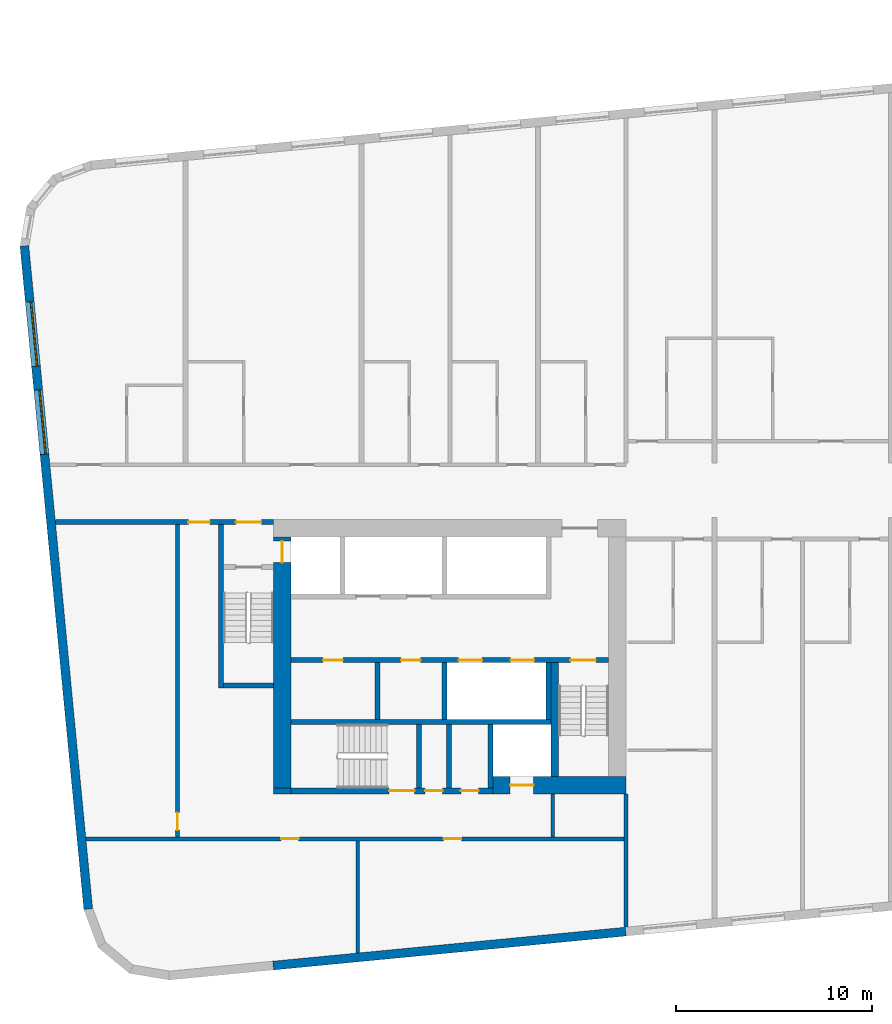
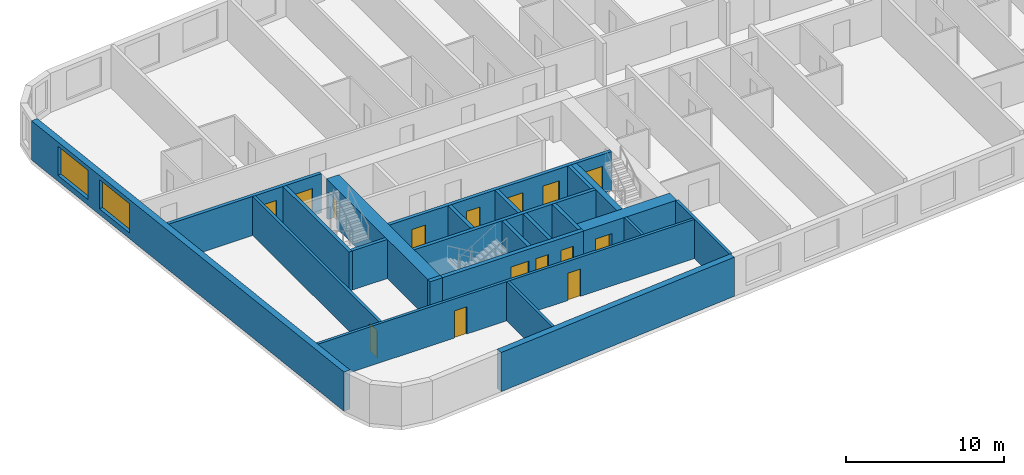
# One storey, part 2 of 12: 23 walls, 15 doors, 2 windows, 17 openings.
"""IFC4 building model written with IfcOpenShell, lengths in metres."""

from ifc_helpers import new_model, si_unit, direction, frame, frame_2d, origin, place, context, subcontext, project, spatial, rectangle, extrude, material, layer, layer_set, type_object, element, fill, save


model = new_model("IFC4")

# Units and contexts
model_context = context("Model", 3, precision=1e-05, world=origin(), true_north=direction((0.0, 1.0)))
body_context = subcontext(model_context, "Body", "Model", "MODEL_VIEW")
ifc_project = project(units=[si_unit("LENGTHUNIT", "METRE"), si_unit("AREAUNIT", "SQUARE_METRE"), si_unit("VOLUMEUNIT", "CUBIC_METRE"), si_unit("PLANEANGLEUNIT", "RADIAN"), si_unit("MASSUNIT", "GRAM", prefix="KILO")], contexts=[model_context])

# Site, building, storey
site_placement = place(None, origin())
site = spatial("IfcSite", under=ifc_project, at=site_placement, CompositionType="ELEMENT")
building_placement = place(site_placement, origin())
building = spatial("IfcBuilding", under=site, at=building_placement, Name="Kajstack Hotel Tower", CompositionType="ELEMENT")
storey_placement = place(building_placement, frame((0.0, 0.0, 180.10009765625)))
storey = spatial("IfcBuildingStorey", under=building, at=storey_placement, Name="L42", CompositionType="ELEMENT", Elevation=180.10009765625)

# Wall, opening, door
ifc_material_1 = material(Name="Concrete C60/75", Category="concrete")
ifc_layer_1 = layer(ifc_material_1, 0.89990234375)
ifc_layer_set_1 = layer_set([ifc_layer_1], Name="Core wall 900")
wall_type_1 = type_object("IfcWallType", Name="Core wall 900", PredefinedType="SHEAR", material=ifc_layer_set_1)
wall_1_placement = place(storey_placement, frame((-20.300048828125, -15.050048828125, 0.0), z_axis=(0.0, 0.0, 1.0), x_axis=(1.0, 0.0, 0.0)))
wall_1 = element("IfcWall", 1, at=wall_1_placement, inside=storey, type_object=wall_type_1, Name="Core wall W RS", PredefinedType="SHEAR", context=body_context, shape_type="SweptSolid", body=[
    extrude(rectangle(XDim=6.800048828125, YDim=0.89990234375, at=frame_2d((3.39990234375, 0.0))), origin(), (0.0, 0.0, 1.0), 3.02001953125),
])
opening_1_placement = place(wall_1_placement, frame((0.875, 0.0, 0.0)))
opening_1 = element("IfcOpeningElement", 2, at=opening_1_placement, cuts=wall_1, Name="Opening LD-SV1", PredefinedType="OPENING", context=body_context, shape_type="SweptSolid", body=[
    extrude(rectangle(XDim=1.199951171875, YDim=2.10009765625, at=frame_2d((0.60009765625, 1.050048828125))), frame((0.0, 0.4599609375, 0.0), z_axis=(0.0, -1.0, 0.0), x_axis=(1.0, 0.0, 0.0)), (0.0, 0.0, 1.0), 0.919921875),
])
ifc_material_2 = material(Name="Stainless steel", Category="steel")
door_type_1 = type_object("IfcDoorType", Name="Lift landing door 1200", OperationType="SLIDING_TO_LEFT", PredefinedType="DOOR", material=ifc_material_2)
door_1_placement = place(opening_1_placement, origin())
door_1 = element("IfcDoor", 3, at=door_1_placement, inside=storey, type_object=door_type_1, Name="Landing door SV1", OperationType="SLIDING_TO_LEFT", OverallHeight=2.10009765625, OverallWidth=1.199951171875, PredefinedType="DOOR", context=body_context, shape_type="SweptSolid", body=[
    extrude(rectangle(XDim=1.199951171875, YDim=2.10009765625, at=frame_2d((0.60009765625, 1.050048828125))), frame((0.0, 0.02490234375, 0.0), z_axis=(0.0, -1.0, 0.0), x_axis=(1.0, 0.0, 0.0)), (0.0, 0.0, 1.0), 0.050048828125),
])
fill(opening_1, door_1)

# Wall
wall_2_placement = place(storey_placement, frame((-31.5, -15.35009765625, 0.0), z_axis=(0.0, 0.0, 1.0), x_axis=(1.0, 0.0, 0.0)))
element("IfcWall", 4, at=wall_2_placement, inside=storey, type_object=wall_type_1, Name="Core wall W RSW", PredefinedType="SHEAR", context=body_context, shape_type="SweptSolid", body=[
    extrude(rectangle(XDim=0.89990234375, YDim=0.300048828125, at=frame_2d((0.449951171875, 0.0))), origin(), (0.0, 0.0, 1.0), 3.02001953125),
])

# Wall, opening, door
wall_3_placement = place(storey_placement, frame((-31.050048828125, -15.199951171875, 0.0), z_axis=(0.0, 0.0, 1.0), x_axis=(0.0, 1.0, 0.0)))
wall_3 = element("IfcWall", 5, at=wall_3_placement, inside=storey, type_object=wall_type_1, Name="Core wall W RW", PredefinedType="SHEAR", context=body_context, shape_type="SweptSolid", body=[
    extrude(rectangle(XDim=12.800048828125, YDim=0.89990234375, at=frame_2d((6.39990234375, 0.0))), origin(), (0.0, 0.0, 1.0), 3.02001953125),
])
opening_2_placement = place(wall_3_placement, frame((11.5, 0.0, 0.0)))
opening_2 = element("IfcOpeningElement", 6, at=opening_2_placement, cuts=wall_3, Name="Opening LD-FF1", PredefinedType="OPENING", context=body_context, shape_type="SweptSolid", body=[
    extrude(rectangle(XDim=1.10009765625, YDim=2.10009765625, at=frame_2d((0.550048828125, 1.050048828125))), frame((0.0, 0.4599609375, 0.0), z_axis=(0.0, -1.0, 0.0), x_axis=(1.0, 0.0, 0.0)), (0.0, 0.0, 1.0), 0.919921875),
])
door_type_2 = type_object("IfcDoorType", Name="Fire-fighting lift landing door 1100", OperationType="SLIDING_TO_LEFT", PredefinedType="DOOR", material=ifc_material_2)
door_2_placement = place(opening_2_placement, origin())
door_2 = element("IfcDoor", 7, at=door_2_placement, inside=storey, type_object=door_type_2, Name="Landing door FF1", OperationType="SLIDING_TO_RIGHT", OverallHeight=2.10009765625, OverallWidth=1.10009765625, PredefinedType="DOOR", context=body_context, shape_type="SweptSolid", body=[
    extrude(rectangle(XDim=1.10009765625, YDim=2.10009765625, at=frame_2d((0.550048828125, 1.050048828125))), frame((0.0, 0.02490234375, 0.0), z_axis=(0.0, -1.0, 0.0), x_axis=(1.0, 0.0, 0.0)), (0.0, 0.0, 1.0), 0.050048828125),
])
fill(opening_2, door_2)

# Walls
ifc_material_3 = material(Name="Twin-frame gypsum board on steel studs, mineral wool", Category="steel")
ifc_layer_2 = layer(ifc_material_3, 0.199951171875)
ifc_layer_set_2 = layer_set([ifc_layer_2], Name="Demising wall 200")
wall_type_2 = type_object("IfcWallType", Name="Demising wall 200", PredefinedType="PARTITIONING", material=ifc_layer_set_2)
wall_4_placement = place(storey_placement, frame((-13.5, -22.300048828125, 0.0), z_axis=(0.0, 0.0, 1.0), x_axis=(0.0, 1.0, 0.0)))
element("IfcWall", 8, at=wall_4_placement, inside=storey, type_object=wall_type_2, Name="G-wall-L42-002", PredefinedType="PARTITIONING", context=body_context, shape_type="SweptSolid", body=[
    extrude(rectangle(XDim=6.800048828125, YDim=0.199951171875, at=frame_2d((3.39990234375, 0.0))), origin(), (0.0, 0.0, 1.0), 3.02001953125),
])
ifc_material_4 = material(Name="Concrete C40/50", Category="concrete")
ifc_layer_3 = layer(ifc_material_4, 0.449951171875)
ifc_layer_set_3 = layer_set([ifc_layer_3], Name="EW-CORE")
wall_type_3 = type_object("IfcWallType", Name="EW-CORE", PredefinedType="SOLIDWALL", material=ifc_layer_set_3)
wall_5_placement = place(storey_placement, frame((-31.521484375, -24.26171875, 0.0), z_axis=(0.0, 0.0, 1.0), x_axis=(0.995396454615, 0.095843091245, 0.0)))
element("IfcWall", 9, at=wall_5_placement, inside=storey, type_object=wall_type_3, Name="E-wall-L42-04-01", PredefinedType="SOLIDWALL", context=body_context, shape_type="SweptSolid", body=[
    extrude(rectangle(XDim=18.083251953125, YDim=0.449951171875, at=frame_2d((9.04150390625, 0.0))), origin(), (0.0, 0.0, 1.0), 3.02001953125),
])

# Wall, openings, windows
ifc_material_5 = material(Name="Terracotta-faced brick masonry", Category="masonry")
ifc_layer_4 = layer(ifc_material_5, 0.449951171875)
ifc_layer_set_4 = layer_set([ifc_layer_4], Name="EW-TERRA")
wall_type_4 = type_object("IfcWallType", Name="EW-TERRA", PredefinedType="SOLIDWALL", material=ifc_layer_set_4)
wall_6_placement = place(storey_placement, frame((-44.21435546875, 12.465576171875, 0.0), z_axis=(0.0, 0.0, 1.0), x_axis=(0.095847314626, -0.995396047952, 0.0)))
wall_6 = element("IfcWall", 10, at=wall_6_placement, inside=storey, type_object=wall_type_4, Name="E-wall-L42-00-00", PredefinedType="SOLIDWALL", context=body_context, shape_type="SweptSolid", body=[
    extrude(rectangle(XDim=33.999755859375, YDim=0.449951171875, at=frame_2d((17.0, 0.0))), origin(), (0.0, 0.0, 1.0), 3.02001953125),
])
opening_3_placement = place(wall_6_placement, frame((2.864990234375, 0.0, 0.449951171875)))
opening_3 = element("IfcOpeningElement", 11, at=opening_3_placement, cuts=wall_6, Name="Opening W2", PredefinedType="OPENING", context=body_context, shape_type="SweptSolid", body=[
    extrude(rectangle(XDim=3.300048828125, YDim=2.25, at=frame_2d((1.64990234375, 1.125))), frame((0.0, 0.23486328125, 0.0), z_axis=(0.0, -1.0, 0.0), x_axis=(1.0, 0.0, 0.0)), (0.0, 0.0, 1.0), 0.469970703125),
])
opening_4_placement = place(wall_6_placement, frame((7.3857421875, 0.0, 0.449951171875)))
opening_4 = element("IfcOpeningElement", 12, at=opening_4_placement, cuts=wall_6, Name="Opening W2", PredefinedType="OPENING", context=body_context, shape_type="SweptSolid", body=[
    extrude(rectangle(XDim=3.300048828125, YDim=2.25, at=frame_2d((1.64990234375, 1.125))), frame((0.0, 0.23486328125, 0.0), z_axis=(0.0, -1.0, 0.0), x_axis=(1.0, 0.0, 0.0)), (0.0, 0.0, 1.0), 0.469970703125),
])
ifc_material_6 = material(Name="Timber-aluminium window, triple glazed", Category="wood")
window_type = type_object("IfcWindowType", Name="WG2", PartitioningType="SINGLE_PANEL", PredefinedType="WINDOW", material=ifc_material_6)
window_1_placement = place(opening_3_placement, origin())
window_1 = element("IfcWindow", 13, at=window_1_placement, inside=storey, type_object=window_type, Name="Window W2 L42-00", OverallHeight=2.25, OverallWidth=3.300048828125, PartitioningType="SINGLE_PANEL", PredefinedType="WINDOW", context=body_context, shape_type="SweptSolid", body=[
    extrude(rectangle(XDim=3.300048828125, YDim=2.25, at=frame_2d((1.64990234375, 1.125))), frame((0.0, 0.090087890625, 0.0), z_axis=(0.0, -1.0, 0.0), x_axis=(1.0, 0.0, 0.0)), (0.0, 0.0, 1.0), 0.06005859375),
])
fill(opening_3, window_1)
window_2_placement = place(opening_4_placement, origin())
window_2 = element("IfcWindow", 14, at=window_2_placement, inside=storey, type_object=window_type, Name="Window W2 L42-00", OverallHeight=2.25, OverallWidth=3.300048828125, PartitioningType="SINGLE_PANEL", PredefinedType="WINDOW", context=body_context, shape_type="SweptSolid", body=[
    extrude(rectangle(XDim=3.300048828125, YDim=2.25, at=frame_2d((1.64990234375, 1.125))), frame((0.0, 0.090087890625, 0.0), z_axis=(0.0, -1.0, 0.0), x_axis=(1.0, 0.0, 0.0)), (0.0, 0.0, 1.0), 0.06005859375),
])
fill(opening_4, window_2)

# Walls
ifc_material_7 = material(Name="Concrete C50/60", Category="concrete")
ifc_layer_5 = layer(ifc_material_7, 0.300048828125)
ifc_layer_set_5 = layer_set([ifc_layer_5], Name="Hoistway divider wall 300")
wall_type_5 = type_object("IfcWallType", Name="Hoistway divider wall 300", PredefinedType="SHEAR", material=ifc_layer_set_5)
wall_7_placement = place(storey_placement, frame((-22.77490234375, -11.699951171875, 0.0), z_axis=(0.0, 0.0, 1.0), x_axis=(0.0, 1.0, 0.0)))
element("IfcWall", 15, at=wall_7_placement, inside=storey, type_object=wall_type_5, Name="Core wall W BP2", PredefinedType="SHEAR", context=body_context, shape_type="SweptSolid", body=[
    extrude(rectangle(XDim=2.89990234375, YDim=0.25, at=frame_2d((1.449951171875, 0.0))), origin(), (0.0, 0.0, 1.0), 3.02001953125),
])
ifc_material_8 = material(Name="Concrete block masonry", Category="masonry")
ifc_layer_6 = layer(ifc_material_8, 0.25)
ifc_layer_set_6 = layer_set([ifc_layer_6], Name="Riser partition 250")
wall_type_6 = type_object("IfcWallType", Name="Riser partition 250", PredefinedType="PARTITIONING", material=ifc_layer_set_6)
wall_8_placement = place(storey_placement, frame((-26.199951171875, -11.699951171875, 0.0), z_axis=(0.0, 0.0, 1.0), x_axis=(0.0, 1.0, 0.0)))
element("IfcWall", 16, at=wall_8_placement, inside=storey, type_object=wall_type_6, Name="Partition W BF0", PredefinedType="PARTITIONING", context=body_context, shape_type="SweptSolid", body=[
    extrude(rectangle(XDim=2.89990234375, YDim=0.25, at=frame_2d((1.449951171875, 0.0))), origin(), (0.0, 0.0, 1.0), 3.02001953125),
])
wall_9_placement = place(storey_placement, frame((-22.550048828125, -15.199951171875, 0.0), z_axis=(0.0, 0.0, 1.0), x_axis=(0.0, 1.0, 0.0)))
element("IfcWall", 17, at=wall_9_placement, inside=storey, type_object=wall_type_6, Name="Partition W SZ0", PredefinedType="PARTITIONING", context=body_context, shape_type="SweptSolid", body=[
    extrude(rectangle(XDim=3.25, YDim=0.25, at=frame_2d((1.625, 0.0))), origin(), (0.0, 0.0, 1.0), 3.02001953125),
])

# Wall, openings, doors
ifc_material_9 = material(Name="Gypsum board on steel studs, mineral wool", Category="steel")
ifc_layer_7 = layer(ifc_material_9, 0.199951171875)
ifc_layer_set_7 = layer_set([ifc_layer_7], Name="Service partition 200")
wall_type_7 = type_object("IfcWallType", Name="Service partition 200", PredefinedType="PARTITIONING", material=ifc_layer_set_7)
wall_10_placement = place(storey_placement, frame((-42.631591796875, -1.625, 0.0), z_axis=(0.0, 0.0, 1.0), x_axis=(1.0, 0.0, 0.0)))
wall_10 = element("IfcWall", 18, at=wall_10_placement, inside=storey, type_object=wall_type_7, Name="Partition W SN", PredefinedType="PARTITIONING", context=body_context, shape_type="SweptSolid", body=[
    extrude(rectangle(XDim=11.131591796875, YDim=0.25, at=frame_2d((5.56591796875, 0.0))), origin(), (0.0, 0.0, 1.0), 3.02001953125),
])
opening_5_placement = place(wall_10_placement, frame((9.20654296875, 0.0, 0.0)))
opening_5 = element("IfcOpeningElement", 19, at=opening_5_placement, cuts=wall_10, Name="Opening 42W08", PredefinedType="OPENING", context=body_context, shape_type="SweptSolid", body=[
    extrude(rectangle(XDim=1.300048828125, YDim=2.10009765625, at=frame_2d((0.64990234375, 1.050048828125))), frame((0.0, 0.135009765625, 0.0), z_axis=(0.0, -1.0, 0.0), x_axis=(1.0, 0.0, 0.0)), (0.0, 0.0, 1.0), 0.27001953125),
])
opening_6_placement = place(wall_10_placement, frame((6.781494140625, 0.0, 0.0)))
opening_6 = element("IfcOpeningElement", 20, at=opening_6_placement, cuts=wall_10, Name="Opening 42W10", PredefinedType="OPENING", context=body_context, shape_type="SweptSolid", body=[
    extrude(rectangle(XDim=1.10009765625, YDim=2.10009765625, at=frame_2d((0.550048828125, 1.050048828125))), frame((0.0, 0.135009765625, 0.0), z_axis=(0.0, -1.0, 0.0), x_axis=(1.0, 0.0, 0.0)), (0.0, 0.0, 1.0), 0.27001953125),
])
ifc_material_10 = material(Name="Steel leaf, fire-rated", Category="steel")
door_type_3 = type_object("IfcDoorType", Name="Fire lobby door 1300", OperationType="SINGLE_SWING_LEFT", PredefinedType="DOOR", material=ifc_material_10)
door_3_placement = place(opening_5_placement, origin())
door_3 = element("IfcDoor", 21, at=door_3_placement, inside=storey, type_object=door_type_3, Name="Door 42W08", OperationType="SINGLE_SWING_RIGHT", OverallHeight=2.10009765625, OverallWidth=1.300048828125, PredefinedType="DOOR", context=body_context, shape_type="SweptSolid", body=[
    extrude(rectangle(XDim=1.300048828125, YDim=2.10009765625, at=frame_2d((0.64990234375, 1.050048828125))), frame((0.0, 0.02490234375, 0.0), z_axis=(0.0, -1.0, 0.0), x_axis=(1.0, 0.0, 0.0)), (0.0, 0.0, 1.0), 0.050048828125),
])
fill(opening_5, door_3)
ifc_material_11 = material(Name="Timber leaf, fire-rated", Category="wood")
door_type_4 = type_object("IfcDoorType", Name="Service corridor door 1100", OperationType="SINGLE_SWING_LEFT", PredefinedType="DOOR", material=ifc_material_11)
door_4_placement = place(opening_6_placement, origin())
door_4 = element("IfcDoor", 22, at=door_4_placement, inside=storey, type_object=door_type_4, Name="Door 42W10", OperationType="SINGLE_SWING_RIGHT", OverallHeight=2.10009765625, OverallWidth=1.10009765625, PredefinedType="DOOR", context=body_context, shape_type="SweptSolid", body=[
    extrude(rectangle(XDim=1.10009765625, YDim=2.10009765625, at=frame_2d((0.550048828125, 1.050048828125))), frame((0.0, 0.02490234375, 0.0), z_axis=(0.0, -1.0, 0.0), x_axis=(1.0, 0.0, 0.0)), (0.0, 0.0, 1.0), 0.050048828125),
])
fill(opening_6, door_4)

# Wall
wall_11_placement = place(storey_placement, frame((-17.25, -17.699951171875, 0.0), z_axis=(0.0, 0.0, 1.0), x_axis=(0.0, 1.0, 0.0)))
element("IfcWall", 23, at=wall_11_placement, inside=storey, type_object=wall_type_7, Name="Partition W SCE", PredefinedType="PARTITIONING", context=body_context, shape_type="SweptSolid", body=[
    extrude(rectangle(XDim=2.199951171875, YDim=0.199951171875, at=frame_2d((1.10009765625, 0.0))), origin(), (0.0, 0.0, 1.0), 3.02001953125),
])

# Wall, opening, door
wall_12_placement = place(storey_placement, frame((-36.39990234375, -17.699951171875, 0.0), z_axis=(0.0, 0.0, 1.0), x_axis=(0.0, 1.0, 0.0)))
wall_12 = element("IfcWall", 24, at=wall_12_placement, inside=storey, type_object=wall_type_7, Name="Partition W WRE", PredefinedType="PARTITIONING", context=body_context, shape_type="SweptSolid", body=[
    extrude(rectangle(XDim=15.949951171875, YDim=0.199951171875, at=frame_2d((7.97509765625, 0.0))), origin(), (0.0, 0.0, 1.0), 3.02001953125),
])
opening_7_placement = place(wall_12_placement, frame((0.35009765625, 0.0, 0.0)))
opening_7 = element("IfcOpeningElement", 25, at=opening_7_placement, cuts=wall_12, Name="Opening 42W19", PredefinedType="OPENING", context=body_context, shape_type="SweptSolid", body=[
    extrude(rectangle(XDim=0.89990234375, YDim=2.10009765625, at=frame_2d((0.449951171875, 1.050048828125))), frame((0.0, 0.10986328125, 0.0), z_axis=(0.0, -1.0, 0.0), x_axis=(1.0, 0.0, 0.0)), (0.0, 0.0, 1.0), 0.219970703125),
])
door_type_5 = type_object("IfcDoorType", Name="Service door 900", OperationType="SINGLE_SWING_LEFT", PredefinedType="DOOR", material=ifc_material_11)
door_5_placement = place(opening_7_placement, origin())
door_5 = element("IfcDoor", 26, at=door_5_placement, inside=storey, type_object=door_type_5, Name="Door 42W19", OperationType="SINGLE_SWING_LEFT", OverallHeight=2.10009765625, OverallWidth=0.89990234375, PredefinedType="DOOR", context=body_context, shape_type="SweptSolid", body=[
    extrude(rectangle(XDim=0.89990234375, YDim=2.10009765625, at=frame_2d((0.449951171875, 1.050048828125))), frame((0.0, 0.02490234375, 0.0), z_axis=(0.0, -1.0, 0.0), x_axis=(1.0, 0.0, 0.0)), (0.0, 0.0, 1.0), 0.050048828125),
])
fill(opening_7, door_5)

# Wall, openings, doors
wall_13_placement = place(storey_placement, frame((-41.07421875, -17.800048828125, 0.0), z_axis=(0.0, 0.0, 1.0), x_axis=(1.0, 0.0, 0.0)))
wall_13 = element("IfcWall", 27, at=wall_13_placement, inside=storey, type_object=wall_type_7, Name="Partition W SLN", PredefinedType="PARTITIONING", context=body_context, shape_type="SweptSolid", body=[
    extrude(rectangle(XDim=27.47412109375, YDim=0.199951171875, at=frame_2d((13.737060546875, 0.0))), origin(), (0.0, 0.0, 1.0), 3.02001953125),
])
opening_8_placement = place(wall_13_placement, frame((9.961669921875, 0.0, 0.0)))
opening_8 = element("IfcOpeningElement", 28, at=opening_8_placement, cuts=wall_13, Name="Opening 42W17", PredefinedType="OPENING", context=body_context, shape_type="SweptSolid", body=[
    extrude(rectangle(XDim=0.89990234375, YDim=2.10009765625, at=frame_2d((0.449951171875, 1.050048828125))), frame((0.0, 0.10986328125, 0.0), z_axis=(0.0, -1.0, 0.0), x_axis=(1.0, 0.0, 0.0)), (0.0, 0.0, 1.0), 0.219970703125),
])
opening_9_placement = place(wall_13_placement, frame((18.26171875, 0.0, 0.0)))
opening_9 = element("IfcOpeningElement", 29, at=opening_9_placement, cuts=wall_13, Name="Opening 42W18", PredefinedType="OPENING", context=body_context, shape_type="SweptSolid", body=[
    extrude(rectangle(XDim=0.89990234375, YDim=2.10009765625, at=frame_2d((0.449951171875, 1.050048828125))), frame((0.0, 0.10986328125, 0.0), z_axis=(0.0, -1.0, 0.0), x_axis=(1.0, 0.0, 0.0)), (0.0, 0.0, 1.0), 0.219970703125),
])
door_6_placement = place(opening_8_placement, origin())
door_6 = element("IfcDoor", 30, at=door_6_placement, inside=storey, type_object=door_type_5, Name="Door 42W17", OperationType="SINGLE_SWING_RIGHT", OverallHeight=2.10009765625, OverallWidth=0.89990234375, PredefinedType="DOOR", context=body_context, shape_type="SweptSolid", body=[
    extrude(rectangle(XDim=0.89990234375, YDim=2.10009765625, at=frame_2d((0.449951171875, 1.050048828125))), frame((0.0, 0.02490234375, 0.0), z_axis=(0.0, -1.0, 0.0), x_axis=(1.0, 0.0, 0.0)), (0.0, 0.0, 1.0), 0.050048828125),
])
fill(opening_8, door_6)
door_7_placement = place(opening_9_placement, origin())
door_7 = element("IfcDoor", 31, at=door_7_placement, inside=storey, type_object=door_type_5, Name="Door 42W18", OperationType="SINGLE_SWING_RIGHT", OverallHeight=2.10009765625, OverallWidth=0.89990234375, PredefinedType="DOOR", context=body_context, shape_type="SweptSolid", body=[
    extrude(rectangle(XDim=0.89990234375, YDim=2.10009765625, at=frame_2d((0.449951171875, 1.050048828125))), frame((0.0, 0.02490234375, 0.0), z_axis=(0.0, -1.0, 0.0), x_axis=(1.0, 0.0, 0.0)), (0.0, 0.0, 1.0), 0.050048828125),
])
fill(opening_9, door_7)

# Wall
wall_14_placement = place(storey_placement, frame((-27.199951171875, -23.62060546875, 0.0), z_axis=(0.0, 0.0, 1.0), x_axis=(0.0, 1.0, 0.0)))
element("IfcWall", 32, at=wall_14_placement, inside=storey, type_object=wall_type_7, Name="Partition W SLP0", PredefinedType="PARTITIONING", context=body_context, shape_type="SweptSolid", body=[
    extrude(rectangle(XDim=5.720703125, YDim=0.199951171875, at=frame_2d((2.8603515625, 0.0))), origin(), (0.0, 0.0, 1.0), 3.02001953125),
])

# Wall, openings, doors
ifc_layer_8 = layer(ifc_material_7, 0.25)
ifc_layer_set_8 = layer_set([ifc_layer_8], Name="Shaft wall 250")
wall_type_8 = type_object("IfcWallType", Name="Shaft wall 250", PredefinedType="SHEAR", material=ifc_layer_set_8)
wall_15_placement = place(storey_placement, frame((-30.60009765625, -15.35009765625, 0.0), z_axis=(0.0, 0.0, 1.0), x_axis=(1.0, 0.0, 0.0)))
wall_15 = element("IfcWall", 33, at=wall_15_placement, inside=storey, type_object=wall_type_8, Name="Core wall W RSS", PredefinedType="SHEAR", context=body_context, shape_type="SweptSolid", body=[
    extrude(rectangle(XDim=10.300048828125, YDim=0.300048828125, at=frame_2d((5.14990234375, 0.0))), origin(), (0.0, 0.0, 1.0), 3.02001953125),
])
opening_10_placement = place(wall_15_placement, frame((5.0, 0.0, 0.0)))
opening_10 = element("IfcOpeningElement", 34, at=opening_10_placement, cuts=wall_15, Name="Opening 42W12", PredefinedType="OPENING", context=body_context, shape_type="SweptSolid", body=[
    extrude(rectangle(XDim=1.300048828125, YDim=2.10009765625, at=frame_2d((0.64990234375, 1.050048828125))), frame((0.0, 0.159912109375, 0.0), z_axis=(0.0, -1.0, 0.0), x_axis=(1.0, 0.0, 0.0)), (0.0, 0.0, 1.0), 0.320068359375),
])
opening_11_placement = place(wall_15_placement, frame((6.83740234375, 0.0, 0.0)))
opening_11 = element("IfcOpeningElement", 35, at=opening_11_placement, cuts=wall_15, Name="Opening 42W13", PredefinedType="OPENING", context=body_context, shape_type="SweptSolid", body=[
    extrude(rectangle(XDim=0.89990234375, YDim=2.10009765625, at=frame_2d((0.449951171875, 1.050048828125))), frame((0.0, 0.159912109375, 0.0), z_axis=(0.0, -1.0, 0.0), x_axis=(1.0, 0.0, 0.0)), (0.0, 0.0, 1.0), 0.320068359375),
])
opening_12_placement = place(wall_15_placement, frame((8.66259765625, 0.0, 0.0)))
opening_12 = element("IfcOpeningElement", 36, at=opening_12_placement, cuts=wall_15, Name="Opening 42W14", PredefinedType="OPENING", context=body_context, shape_type="SweptSolid", body=[
    extrude(rectangle(XDim=0.89990234375, YDim=2.10009765625, at=frame_2d((0.449951171875, 1.050048828125))), frame((0.0, 0.159912109375, 0.0), z_axis=(0.0, -1.0, 0.0), x_axis=(1.0, 0.0, 0.0)), (0.0, 0.0, 1.0), 0.320068359375),
])
door_type_6 = type_object("IfcDoorType", Name="Riser door 900", OperationType="SINGLE_SWING_LEFT", PredefinedType="DOOR", material=ifc_material_10)
door_8_placement = place(opening_12_placement, origin())
door_8 = element("IfcDoor", 37, at=door_8_placement, inside=storey, type_object=door_type_6, Name="Door 42W14", OperationType="SINGLE_SWING_LEFT", OverallHeight=2.10009765625, OverallWidth=0.89990234375, PredefinedType="DOOR", context=body_context, shape_type="SweptSolid", body=[
    extrude(rectangle(XDim=0.89990234375, YDim=2.10009765625, at=frame_2d((0.449951171875, 1.050048828125))), frame((0.0, 0.02490234375, 0.0), z_axis=(0.0, -1.0, 0.0), x_axis=(1.0, 0.0, 0.0)), (0.0, 0.0, 1.0), 0.050048828125),
])
fill(opening_12, door_8)
door_9_placement = place(opening_11_placement, origin())
door_9 = element("IfcDoor", 38, at=door_9_placement, inside=storey, type_object=door_type_5, Name="Door 42W13", OperationType="SINGLE_SWING_LEFT", OverallHeight=2.10009765625, OverallWidth=0.89990234375, PredefinedType="DOOR", context=body_context, shape_type="SweptSolid", body=[
    extrude(rectangle(XDim=0.89990234375, YDim=2.10009765625, at=frame_2d((0.449951171875, 1.050048828125))), frame((0.0, 0.02490234375, 0.0), z_axis=(0.0, -1.0, 0.0), x_axis=(1.0, 0.0, 0.0)), (0.0, 0.0, 1.0), 0.050048828125),
])
fill(opening_11, door_9)
door_type_7 = type_object("IfcDoorType", Name="Stair door 1300", OperationType="SINGLE_SWING_LEFT", PredefinedType="DOOR", material=ifc_material_10)
door_10_placement = place(opening_10_placement, origin())
door_10 = element("IfcDoor", 39, at=door_10_placement, inside=storey, type_object=door_type_7, Name="Door 42W12", OperationType="SINGLE_SWING_RIGHT", OverallHeight=2.10009765625, OverallWidth=1.300048828125, PredefinedType="DOOR", context=body_context, shape_type="SweptSolid", body=[
    extrude(rectangle(XDim=1.300048828125, YDim=2.10009765625, at=frame_2d((0.64990234375, 1.050048828125))), frame((0.0, 0.02490234375, 0.0), z_axis=(0.0, -1.0, 0.0), x_axis=(1.0, 0.0, 0.0)), (0.0, 0.0, 1.0), 0.050048828125),
])
fill(opening_10, door_10)

wall_16_placement = place(storey_placement, frame((-30.60009765625, -8.675048828125, 0.0), z_axis=(0.0, 0.0, 1.0), x_axis=(1.0, 0.0, 0.0)))
wall_16 = element("IfcWall", 40, at=wall_16_placement, inside=storey, type_object=wall_type_8, Name="Core wall W FB", PredefinedType="SHEAR", context=body_context, shape_type="SweptSolid", body=[
    extrude(rectangle(XDim=16.2001953125, YDim=0.25, at=frame_2d((8.10009765625, 0.0))), origin(), (0.0, 0.0, 1.0), 3.02001953125),
])
opening_13_placement = place(wall_16_placement, frame((8.550048828125, 0.0, 0.0)))
opening_13 = element("IfcOpeningElement", 41, at=opening_13_placement, cuts=wall_16, Name="Opening LD-MR1", PredefinedType="OPENING", context=body_context, shape_type="SweptSolid", body=[
    extrude(rectangle(XDim=1.199951171875, YDim=2.10009765625, at=frame_2d((0.60009765625, 1.050048828125))), frame((0.0, 0.135009765625, 0.0), z_axis=(0.0, -1.0, 0.0), x_axis=(1.0, 0.0, 0.0)), (0.0, 0.0, 1.0), 0.27001953125),
])
opening_14_placement = place(wall_16_placement, frame((11.199951171875, 0.0, 0.0)))
opening_14 = element("IfcOpeningElement", 42, at=opening_14_placement, cuts=wall_16, Name="Opening LD-MR2", PredefinedType="OPENING", context=body_context, shape_type="SweptSolid", body=[
    extrude(rectangle(XDim=1.199951171875, YDim=2.10009765625, at=frame_2d((0.60009765625, 1.050048828125))), frame((0.0, 0.135009765625, 0.0), z_axis=(0.0, -1.0, 0.0), x_axis=(1.0, 0.0, 0.0)), (0.0, 0.0, 1.0), 0.27001953125),
])
opening_15_placement = place(wall_16_placement, frame((14.25, 0.0, 0.0)))
opening_15 = element("IfcOpeningElement", 43, at=opening_15_placement, cuts=wall_16, Name="Opening 42W11", PredefinedType="OPENING", context=body_context, shape_type="SweptSolid", body=[
    extrude(rectangle(XDim=1.300048828125, YDim=2.10009765625, at=frame_2d((0.64990234375, 1.050048828125))), frame((0.0, 0.135009765625, 0.0), z_axis=(0.0, -1.0, 0.0), x_axis=(1.0, 0.0, 0.0)), (0.0, 0.0, 1.0), 0.27001953125),
])
opening_16_placement = place(wall_16_placement, frame((1.637451171875, 0.0, 0.0)))
opening_16 = element("IfcOpeningElement", 44, at=opening_16_placement, cuts=wall_16, Name="Opening 42W15", PredefinedType="OPENING", context=body_context, shape_type="SweptSolid", body=[
    extrude(rectangle(XDim=1.0, YDim=2.10009765625, at=frame_2d((0.5, 1.050048828125))), frame((0.0, 0.135009765625, 0.0), z_axis=(0.0, -1.0, 0.0), x_axis=(1.0, 0.0, 0.0)), (0.0, 0.0, 1.0), 0.27001953125),
])
opening_17_placement = place(wall_16_placement, frame((5.612548828125, 0.0, 0.0)))
opening_17 = element("IfcOpeningElement", 45, at=opening_17_placement, cuts=wall_16, Name="Opening 42W16", PredefinedType="OPENING", context=body_context, shape_type="SweptSolid", body=[
    extrude(rectangle(XDim=1.0, YDim=2.10009765625, at=frame_2d((0.5, 1.050048828125))), frame((0.0, 0.135009765625, 0.0), z_axis=(0.0, -1.0, 0.0), x_axis=(1.0, 0.0, 0.0)), (0.0, 0.0, 1.0), 0.27001953125),
])
door_11_placement = place(opening_13_placement, origin())
door_11 = element("IfcDoor", 46, at=door_11_placement, inside=storey, type_object=door_type_1, Name="Landing door MR1", OperationType="SLIDING_TO_LEFT", OverallHeight=2.10009765625, OverallWidth=1.199951171875, PredefinedType="DOOR", context=body_context, shape_type="SweptSolid", body=[
    extrude(rectangle(XDim=1.199951171875, YDim=2.10009765625, at=frame_2d((0.60009765625, 1.050048828125))), frame((0.0, 0.02490234375, 0.0), z_axis=(0.0, -1.0, 0.0), x_axis=(1.0, 0.0, 0.0)), (0.0, 0.0, 1.0), 0.050048828125),
])
fill(opening_13, door_11)
door_12_placement = place(opening_14_placement, origin())
door_12 = element("IfcDoor", 47, at=door_12_placement, inside=storey, type_object=door_type_1, Name="Landing door MR2", OperationType="SLIDING_TO_RIGHT", OverallHeight=2.10009765625, OverallWidth=1.199951171875, PredefinedType="DOOR", context=body_context, shape_type="SweptSolid", body=[
    extrude(rectangle(XDim=1.199951171875, YDim=2.10009765625, at=frame_2d((0.60009765625, 1.050048828125))), frame((0.0, 0.02490234375, 0.0), z_axis=(0.0, -1.0, 0.0), x_axis=(1.0, 0.0, 0.0)), (0.0, 0.0, 1.0), 0.050048828125),
])
fill(opening_14, door_12)
door_type_8 = type_object("IfcDoorType", Name="Service room door 1000", OperationType="SINGLE_SWING_LEFT", PredefinedType="DOOR", material=ifc_material_11)
door_13_placement = place(opening_16_placement, origin())
door_13 = element("IfcDoor", 48, at=door_13_placement, inside=storey, type_object=door_type_8, Name="Door 42W15", OperationType="SINGLE_SWING_RIGHT", OverallHeight=2.10009765625, OverallWidth=1.0, PredefinedType="DOOR", context=body_context, shape_type="SweptSolid", body=[
    extrude(rectangle(XDim=1.0, YDim=2.10009765625, at=frame_2d((0.5, 1.050048828125))), frame((0.0, 0.02490234375, 0.0), z_axis=(0.0, -1.0, 0.0), x_axis=(1.0, 0.0, 0.0)), (0.0, 0.0, 1.0), 0.050048828125),
])
fill(opening_16, door_13)
door_14_placement = place(opening_17_placement, origin())
door_14 = element("IfcDoor", 49, at=door_14_placement, inside=storey, type_object=door_type_8, Name="Door 42W16", OperationType="SINGLE_SWING_RIGHT", OverallHeight=2.10009765625, OverallWidth=1.0, PredefinedType="DOOR", context=body_context, shape_type="SweptSolid", body=[
    extrude(rectangle(XDim=1.0, YDim=2.10009765625, at=frame_2d((0.5, 1.050048828125))), frame((0.0, 0.02490234375, 0.0), z_axis=(0.0, -1.0, 0.0), x_axis=(1.0, 0.0, 0.0)), (0.0, 0.0, 1.0), 0.050048828125),
])
fill(opening_17, door_14)
door_15_placement = place(opening_15_placement, origin())
door_15 = element("IfcDoor", 50, at=door_15_placement, inside=storey, type_object=door_type_7, Name="Door 42W11", OperationType="SINGLE_SWING_RIGHT", OverallHeight=2.10009765625, OverallWidth=1.300048828125, PredefinedType="DOOR", context=body_context, shape_type="SweptSolid", body=[
    extrude(rectangle(XDim=1.300048828125, YDim=2.10009765625, at=frame_2d((0.64990234375, 1.050048828125))), frame((0.0, 0.02490234375, 0.0), z_axis=(0.0, -1.0, 0.0), x_axis=(1.0, 0.0, 0.0)), (0.0, 0.0, 1.0), 0.050048828125),
])
fill(opening_15, door_15)

# Walls
wall_17_placement = place(storey_placement, frame((-30.60009765625, -11.824951171875, 0.0), z_axis=(0.0, 0.0, 1.0), x_axis=(1.0, 0.0, 0.0)))
element("IfcWall", 51, at=wall_17_placement, inside=storey, type_object=wall_type_8, Name="Core wall W RB", PredefinedType="SHEAR", context=body_context, shape_type="SweptSolid", body=[
    extrude(rectangle(XDim=13.25, YDim=0.25, at=frame_2d((6.625, 0.0))), origin(), (0.0, 0.0, 1.0), 3.02001953125),
])
wall_18_placement = place(storey_placement, frame((-17.47509765625, -11.699951171875, 0.0), z_axis=(0.0, 0.0, 1.0), x_axis=(0.0, 1.0, 0.0)))
element("IfcWall", 52, at=wall_18_placement, inside=storey, type_object=wall_type_8, Name="Core wall W BE", PredefinedType="SHEAR", context=body_context, shape_type="SweptSolid", body=[
    extrude(rectangle(XDim=2.89990234375, YDim=0.25, at=frame_2d((1.449951171875, 0.0))), origin(), (0.0, 0.0, 1.0), 3.02001953125),
])
wall_19_placement = place(storey_placement, frame((-20.425048828125, -15.199951171875, 0.0), z_axis=(0.0, 0.0, 1.0), x_axis=(0.0, 1.0, 0.0)))
element("IfcWall", 53, at=wall_19_placement, inside=storey, type_object=wall_type_8, Name="Core wall W SVW", PredefinedType="SHEAR", context=body_context, shape_type="SweptSolid", body=[
    extrude(rectangle(XDim=3.25, YDim=0.25, at=frame_2d((1.625, 0.0))), origin(), (0.0, 0.0, 1.0), 3.02001953125),
])
ifc_layer_9 = layer(ifc_material_4, 0.25)
ifc_layer_set_9 = layer_set([ifc_layer_9], Name="Stair enclosure wall 250")
wall_type_9 = type_object("IfcWallType", Name="Stair enclosure wall 250", PredefinedType="SHEAR", material=ifc_layer_set_9)
wall_20_placement = place(storey_placement, frame((-34.175048828125, -10.10009765625, 0.0), z_axis=(0.0, 0.0, 1.0), x_axis=(0.0, 1.0, 0.0)))
element("IfcWall", 54, at=wall_20_placement, inside=storey, type_object=wall_type_9, Name="Core wall W W1W", PredefinedType="SHEAR", context=body_context, shape_type="SweptSolid", body=[
    extrude(rectangle(XDim=8.35009765625, YDim=0.25, at=frame_2d((4.175048828125, 0.0))), origin(), (0.0, 0.0, 1.0), 3.02001953125),
])
wall_21_placement = place(storey_placement, frame((-34.050048828125, -9.97509765625, 0.0), z_axis=(0.0, 0.0, 1.0), x_axis=(1.0, 0.0, 0.0)))
element("IfcWall", 55, at=wall_21_placement, inside=storey, type_object=wall_type_9, Name="Core wall W W1S", PredefinedType="SHEAR", context=body_context, shape_type="SweptSolid", body=[
    extrude(rectangle(XDim=2.550048828125, YDim=0.25, at=frame_2d((1.27490234375, 0.0))), origin(), (0.0, 0.0, 1.0), 3.02001953125),
])
ifc_layer_10 = layer(ifc_material_7, 0.35009765625)
ifc_layer_set_10 = layer_set([ifc_layer_10], Name="Stair enclosure wall 350")
wall_type_10 = type_object("IfcWallType", Name="Stair enclosure wall 350", PredefinedType="SHEAR", material=ifc_layer_set_10)
wall_22_placement = place(storey_placement, frame((-24.074951171875, -15.199951171875, 0.0), z_axis=(0.0, 0.0, 1.0), x_axis=(0.0, 1.0, 0.0)))
element("IfcWall", 56, at=wall_22_placement, inside=storey, type_object=wall_type_10, Name="Core wall W W3E", PredefinedType="SHEAR", context=body_context, shape_type="SweptSolid", body=[
    extrude(rectangle(XDim=3.25, YDim=0.25, at=frame_2d((1.625, 0.0))), origin(), (0.0, 0.0, 1.0), 3.02001953125),
])
ifc_layer_11 = layer(ifc_material_7, 0.39990234375)
ifc_layer_set_11 = layer_set([ifc_layer_11], Name="Stair wall 400")
wall_type_11 = type_object("IfcWallType", Name="Stair wall 400", PredefinedType="SHEAR", material=ifc_layer_set_11)
wall_23_placement = place(storey_placement, frame((-17.14990234375, -14.60009765625, 0.0), z_axis=(0.0, 0.0, 1.0), x_axis=(0.0, 1.0, 0.0)))
element("IfcWall", 57, at=wall_23_placement, inside=storey, type_object=wall_type_11, Name="Core wall W WW2", PredefinedType="SHEAR", context=body_context, shape_type="SweptSolid", body=[
    extrude(rectangle(XDim=5.800048828125, YDim=0.39990234375, at=frame_2d((2.89990234375, 0.0))), origin(), (0.0, 0.0, 1.0), 3.02001953125),
])

save(model, "model.ifc")
